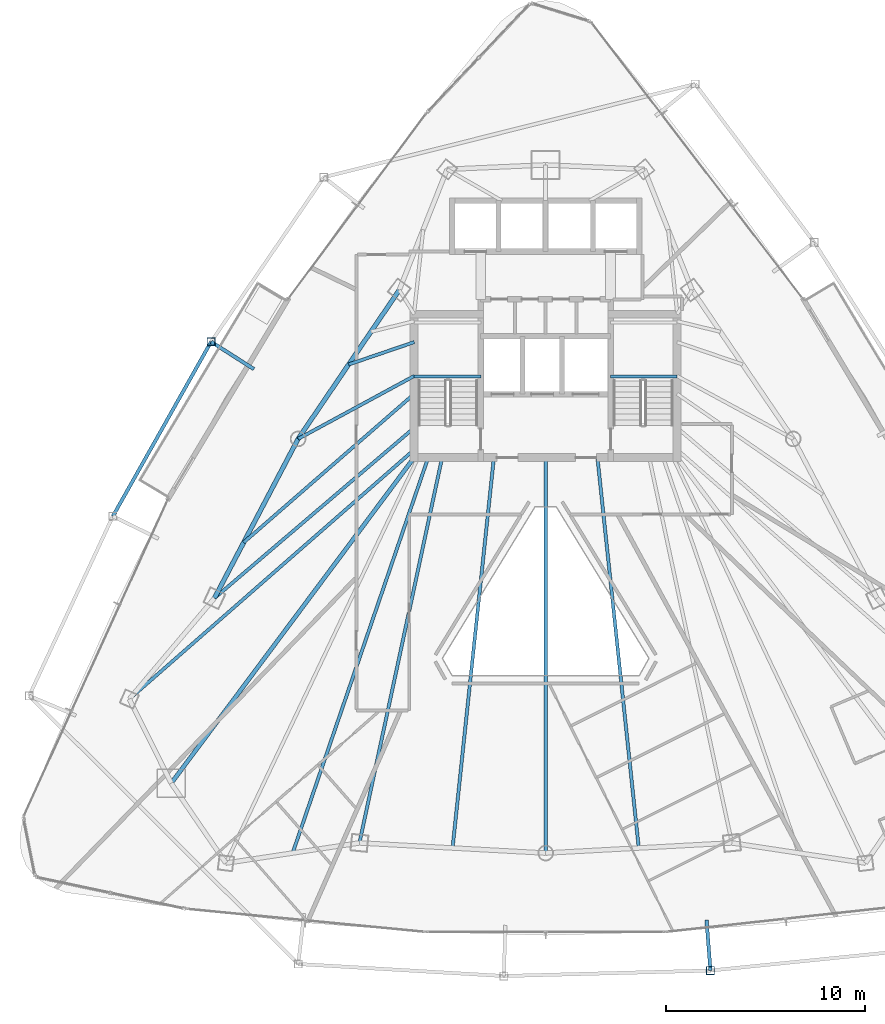
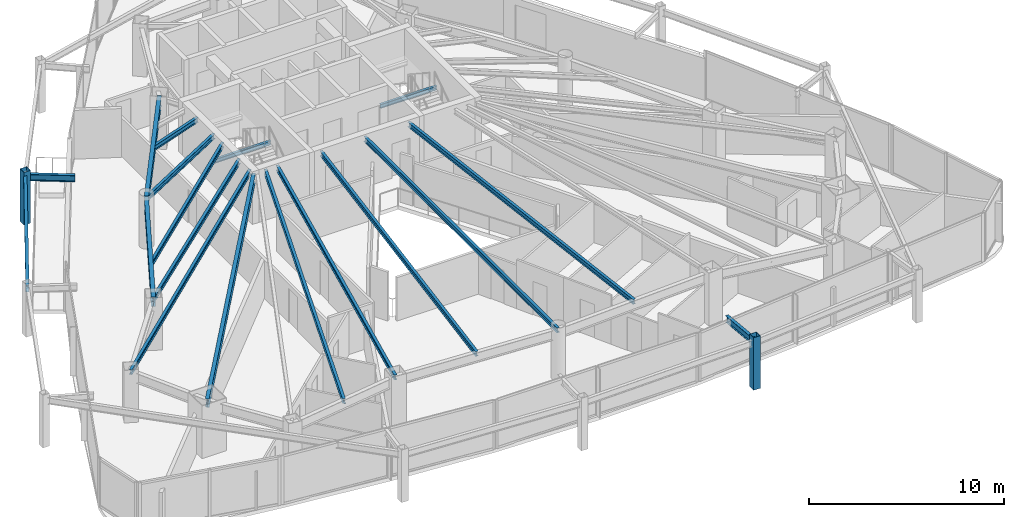
# One storey, part 10 of 31: 18 beams, 2 members.
"""IFC4 building model written with IfcOpenShell, lengths in metres."""

import ifcopenshell
import ifcopenshell.guid

model = None  # the IFC model being written
_history = None  # IfcOwnerHistory: only IFC2X3 demands one
_inside = {}  # id of a spatial element -> (the spatial element, [elements in it])
_under = {}  # id of a project, library or spatial element -> (it, [spatial elements below it])
_declared = {}  # id of a project -> (the project, [libraries it declares])
_typed = {}  # id of a type object -> (the type object, [elements of that type])
_made_of = {}  # id of a material, layer set ... -> (it, [elements and type objects made of it])


def new_model(schema):
    """Start an empty IFC model of exactly this schema.

    Asked for "IFC4X3", IfcOpenShell would pick the latest addendum, in which some entities
    have other attributes; the version numbers below select the first issue.
    IFC2X3 requires an IfcOwnerHistory on every rooted entity: one is made here for all.
    """
    global model, _history
    if schema == "IFC4X3":
        model = ifcopenshell.file(schema_version=(4, 3, 0, 0))
    else:
        model = ifcopenshell.file(schema=schema)
    _inside.clear()
    _under.clear()
    _declared.clear()
    _typed.clear()
    _made_of.clear()
    _history = None
    if model.schema == "IFC2X3":
        org = make("IfcOrganization", Name="unknown")
        user = make(
            "IfcPersonAndOrganization",
            ThePerson=make("IfcPerson", FamilyName="unknown"),
            TheOrganization=org,
        )
        app = make(
            "IfcApplication",
            ApplicationDeveloper=org,
            Version="unknown",
            ApplicationFullName="unknown",
            ApplicationIdentifier="unknown",
        )
        _history = make(
            "IfcOwnerHistory",
            OwningUser=user,
            OwningApplication=app,
            ChangeAction="ADDED",
            CreationDate=0,
        )
    return model


def make(cls, **values):
    """One entity of the class cls with the attributes given. An attribute that is None is left unset."""
    return model.create_entity(
        cls, **{name: value for name, value in values.items() if value is not None}
    )


def rooted(cls, **values):
    """An entity with a GlobalId (a new one), such as an element, a storey or a relation."""
    return make(cls, GlobalId=ifcopenshell.guid.new(), OwnerHistory=_history, **values)


def si_unit(unit_type, name, prefix=None):
    """IfcSIUnit, for example si_unit("LENGTHUNIT", "METRE", prefix="MILLI")."""
    return make("IfcSIUnit", UnitType=unit_type, Prefix=prefix, Name=name)


def assignment(units):
    """IfcUnitAssignment: the units of a project."""
    return None if units is None else make("IfcUnitAssignment", Units=units)


def point(xyz):
    """IfcCartesianPoint."""
    return None if xyz is None else make("IfcCartesianPoint", Coordinates=xyz)


def direction(xyz):
    """IfcDirection."""
    return None if xyz is None else make("IfcDirection", DirectionRatios=xyz)


def frame(location, z_axis=None, x_axis=None):
    """IfcAxis2Placement3D, a coordinate frame: its origin and axes. An axis left out is left unset."""
    return make(
        "IfcAxis2Placement3D",
        Location=point(location),
        Axis=direction(z_axis),
        RefDirection=direction(x_axis),
    )


def frame_2d(location, x_axis=None):
    """IfcAxis2Placement2D, a coordinate frame in the plane: its origin and x axis."""
    return make(
        "IfcAxis2Placement2D", Location=point(location), RefDirection=direction(x_axis)
    )


def origin():
    """The frame at (0, 0, 0) with its axes left unset."""
    return frame((0.0, 0.0, 0.0))


def origin_2d():
    """The frame at (0, 0) in the plane with its x axis left unset."""
    return frame_2d((0.0, 0.0))


def place(relative_to, where):
    """IfcLocalPlacement: puts the frame where relative to a parent placement (None: the world)."""
    return make(
        "IfcLocalPlacement", PlacementRelTo=relative_to, RelativePlacement=where
    )


def context(
    kind, dimensions, precision=None, world=None, true_north=None, identifier=None
):
    """IfcGeometricRepresentationContext, for example the 3D "Model" context."""
    return make(
        "IfcGeometricRepresentationContext",
        ContextIdentifier=identifier,
        ContextType=kind,
        CoordinateSpaceDimension=dimensions,
        Precision=precision,
        WorldCoordinateSystem=world,
        TrueNorth=true_north,
    )


def subcontext(parent, identifier, kind, view, scale=None):
    """IfcGeometricRepresentationSubContext, for example "Body" below "Model"."""
    return make(
        "IfcGeometricRepresentationSubContext",
        ContextIdentifier=identifier,
        ContextType=kind,
        ParentContext=parent,
        TargetScale=scale,
        TargetView=view,
    )


def project(units=None, contexts=None):
    """IfcProject with its units and contexts."""
    return rooted(
        "IfcProject",
        Name="project",
        RepresentationContexts=contexts,
        UnitsInContext=assignment(units),
    )


def spatial(cls, under=None, at=None, **own):
    """A site, building, storey or space (cls), placed at a placement, below another one or the project."""
    s = rooted(cls, ObjectPlacement=at, **own)
    if under is not None:
        _under.setdefault(under.id(), (under, []))[1].append(s)
    return s


def profile(cls, at=None, kind="AREA", **sizes):
    """A parametric profile (cls). Its sizes go by their IFC names, for example OverallWidth=200.0."""
    return make(cls, ProfileType=kind, Position=at, **sizes)


def hollow_rectangle(**sizes):
    """IfcRectangleHollowProfileDef."""
    return profile("IfcRectangleHollowProfileDef", **sizes)


def i_section(**sizes):
    """IfcIShapeProfileDef."""
    return profile("IfcIShapeProfileDef", **sizes)


def extrude(swept, where, along, depth):
    """IfcExtrudedAreaSolid: the profile swept, set in the frame where, extruded along a direction by depth."""
    return make(
        "IfcExtrudedAreaSolid",
        SweptArea=swept,
        Position=where,
        ExtrudedDirection=direction(along),
        Depth=depth,
    )


def shape(context_of_items, identifier, shape_type, items):
    """IfcShapeRepresentation: the items that make up one representation, for example the "Body"."""
    return make(
        "IfcShapeRepresentation",
        ContextOfItems=context_of_items,
        RepresentationIdentifier=identifier,
        RepresentationType=shape_type,
        Items=items,
    )


def material(Name=None, Category=None):
    """IfcMaterial."""
    return make("IfcMaterial", Name=Name, Category=Category)


def material_profile(
    of_material, cross_section, Name=None, Category=None, Priority=None
):
    """IfcMaterialProfile: a cross section and its material."""
    return make(
        "IfcMaterialProfile",
        Name=Name,
        Material=of_material,
        Profile=cross_section,
        Priority=Priority,
        Category=Category,
    )


def profile_set(profiles, Name=None, composite=None):
    """IfcMaterialProfileSet."""
    return make(
        "IfcMaterialProfileSet",
        Name=Name,
        MaterialProfiles=profiles,
        CompositeProfile=composite,
    )


def made_of(thing, what):
    """Note that an element or type object is made of a material, layer set ...; save() writes the relation."""
    if what is not None:
        _made_of.setdefault(what.id(), (what, []))[1].append(thing)
    return thing


def type_object(cls, material=None, **own):
    """A type object (cls), such as IfcWallType, which elements share."""
    return made_of(rooted(cls, **own), material)


def element(
    cls,
    number,
    at=None,
    inside=None,
    cuts=None,
    type_object=None,
    material=None,
    context=None,
    identifier="Body",
    shape_type=None,
    held_by="IfcProductDefinitionShape",
    body=None,
    shapes=None,
    **own,
):
    """One element of the class cls, such as IfcWall. Its Tag is "e" and its number.

    at: its placement. inside: the storey or other place that contains it. cuts: it is an
    opening in that element (IfcRelVoidsElement). A single representation is given by context,
    identifier, shape_type and body (its items); several are given by shapes. held_by: the class
    of the entity that holds the representations. save() writes the other relations.
    """
    e = rooted(cls, Tag="e%d" % number, ObjectPlacement=at, **own)
    if body is not None:
        shapes = [shape(context, identifier, shape_type, body)]
    if shapes is not None:
        e.Representation = make(held_by, Representations=shapes)
    if inside is not None:
        _inside.setdefault(inside.id(), (inside, []))[1].append(e)
    if cuts is not None:
        rooted(
            "IfcRelVoidsElement", RelatingBuildingElement=cuts, RelatedOpeningElement=e
        )
    if type_object is not None:
        _typed.setdefault(type_object.id(), (type_object, []))[1].append(e)
    return made_of(e, material)


def aggregate(whole, parts):
    """IfcRelAggregates: a whole, such as a stair, and the parts it consists of."""
    return rooted("IfcRelAggregates", RelatingObject=whole, RelatedObjects=parts)


def save(model, path):
    """Write the relations noted so far, then the file.

    IfcRelAggregates (storeys below a building ...), IfcRelContainedInSpatialStructure (elements
    in a storey), IfcRelDefinesByType, IfcRelAssociatesMaterial and IfcRelDeclares: one each for
    every whole, place, type object, material and project.
    """
    for whole, parts in _under.values():
        aggregate(whole, parts)
    for where, things in _inside.values():
        rooted(
            "IfcRelContainedInSpatialStructure",
            RelatedElements=things,
            RelatingStructure=where,
        )
    for kind, things in _typed.values():
        rooted("IfcRelDefinesByType", RelatedObjects=things, RelatingType=kind)
    for what, things in _made_of.values():
        rooted("IfcRelAssociatesMaterial", RelatedObjects=things, RelatingMaterial=what)
    for by, libraries in _declared.values():
        rooted("IfcRelDeclares", RelatingContext=by, RelatedDefinitions=libraries)
    model.write(path)


model = new_model("IFC4")

# Units and contexts
model_context = context("Model", 3, precision=1e-05, world=origin(), true_north=direction((0.0, 1.0)))
body_context = subcontext(model_context, "Body", "Model", "MODEL_VIEW")
ifc_project = project(units=[si_unit("LENGTHUNIT", "METRE"), si_unit("AREAUNIT", "SQUARE_METRE"), si_unit("VOLUMEUNIT", "CUBIC_METRE"), si_unit("PLANEANGLEUNIT", "RADIAN"), si_unit("MASSUNIT", "GRAM", prefix="KILO")], contexts=[model_context])

# Site, building, storey
site_placement = place(None, origin())
site = spatial("IfcSite", under=ifc_project, at=site_placement, CompositionType="ELEMENT")
building_placement = place(site_placement, origin())
building = spatial("IfcBuilding", under=site, at=building_placement, Name="Orvanel Arch Residences", CompositionType="ELEMENT")
storey_placement = place(building_placement, frame((0.0, 0.0, 106.699951171875)))
storey = spatial("IfcBuildingStorey", under=building, at=storey_placement, Name="L29", CompositionType="ELEMENT", Elevation=106.699951171875)

# Beams
ifc_material_1 = material(Name="Structural steel AS/NZS 3679.1 Grade 300 (300 MPa)", Category="steel")
ifc_material_profile_1 = material_profile(ifc_material_1, i_section(OverallWidth=0.208984375, OverallDepth=0.532958984375, WebThickness=0.01025390625, FlangeThickness=0.015625, at=origin_2d()), Name="530UB92.4")
ifc_profile_set_1 = profile_set([ifc_material_profile_1], Name="Structural steel AS/NZS 3679.1 Grade 300 (300 MPa)")
beam_type_1 = type_object("IfcBeamType", Name="BG-530UB", PredefinedType="BEAM", material=ifc_profile_set_1)
beam_1_placement = place(storey_placement, frame((26.375, 26.675048828125, 2.7939453125), z_axis=(-0.597893733742, -0.801575375839, 0.0), x_axis=(0.801575375839, -0.597893733742, 0.0)))
element("IfcBeam", 1, at=beam_1_placement, inside=storey, type_object=beam_type_1, Name="L29 South-West Radial Girder", PredefinedType="BEAM", context=body_context, shape_type="SweptSolid", body=[
    extrude(i_section(OverallWidth=0.208984375, OverallDepth=0.532958984375, WebThickness=0.01025390625, FlangeThickness=0.015625, at=origin_2d()), origin(), (0.0, 0.0, 1.0), 20.36474609375),
])
ifc_material_profile_2 = material_profile(ifc_material_1, i_section(OverallWidth=0.14599609375, OverallDepth=0.251953125, WebThickness=0.006103515625, FlangeThickness=0.008544921875, at=origin_2d()), Name="250UB31.4")
ifc_profile_set_2 = profile_set([ifc_material_profile_2], Name="Structural steel AS/NZS 3679.1 Grade 300 (300 MPa)")
beam_type_2 = type_object("IfcBeamType", Name="BJ-250UB", PredefinedType="JOIST", material=ifc_profile_set_2)
for number, where, z_axis, x_axis, name in (
    (2, (26.39990234375, 30.780029296875, 1.323974609375), (1.0, 0.0, 0.0), (0.0, 1.0, 0.0), "L29 ST-1 Half-Landing Support Beam 1.1"),
    (3, (36.25, 30.780029296875, 1.323974609375), (1.0, 0.0, 0.0), (0.0, 1.0, 0.0), "L29 ST-2 Half-Landing Support Beam 1.1"),
):
    element("IfcBeam", number, at=place(storey_placement, frame(where, z_axis=z_axis, x_axis=x_axis)), inside=storey, type_object=beam_type_2, Name=name, PredefinedType="JOIST", context=body_context, shape_type="SweptSolid", body=[
        extrude(i_section(OverallWidth=0.14599609375, OverallDepth=0.251953125, WebThickness=0.006103515625, FlangeThickness=0.008544921875, at=origin_2d()), origin(), (0.0, 0.0, 1.0), 3.35009765625),
    ])
ifc_material_profile_3 = material_profile(ifc_material_1, i_section(OverallWidth=0.1650390625, OverallDepth=0.303955078125, WebThickness=0.006103515625, FlangeThickness=0.01025390625, at=origin_2d()), Name="310UB40.4")
ifc_profile_set_3 = profile_set([ifc_material_profile_3], Name="Structural steel AS/NZS 3679.1 Grade 300 (300 MPa)")
beam_type_3 = type_object("IfcBeamType", Name="BJ-310UB", PredefinedType="JOIST", material=ifc_profile_set_3)
beam_2_placement = place(storey_placement, frame((26.39990234375, 30.800048828125, 2.907958984375), z_axis=(-0.87925534649, -0.476350748576, 0.0), x_axis=(0.476350748576, -0.87925534649, 0.0)))
element("IfcBeam", 4, at=beam_2_placement, inside=storey, type_object=beam_type_3, Name="L29 NW Wing Floor Joist", PredefinedType="JOIST", context=body_context, shape_type="SweptSolid", body=[
    extrude(i_section(OverallWidth=0.1650390625, OverallDepth=0.303955078125, WebThickness=0.006103515625, FlangeThickness=0.01025390625, at=origin_2d()), origin(), (0.0, 0.0, 1.0), 6.631591796875),
])
beam_3_placement = place(storey_placement, frame((26.39990234375, 28.199951171875, 2.907958984375), z_axis=(-0.760821315761, -0.648961420644, 0.0), x_axis=(0.648961420644, -0.760821315761, 0.0)))
element("IfcBeam", 5, at=beam_3_placement, inside=storey, type_object=beam_type_3, Name="L29 W Wing Floor Joist", PredefinedType="JOIST", context=body_context, shape_type="SweptSolid", body=[
    extrude(i_section(OverallWidth=0.1650390625, OverallDepth=0.303955078125, WebThickness=0.006103515625, FlangeThickness=0.01025390625, at=origin_2d()), origin(), (0.0, 0.0, 1.0), 13.18701171875),
])
beam_4_placement = place(storey_placement, frame((27.800048828125, 26.699951171875, 2.907958984375), z_axis=(-0.209808012425, -0.977742603103, 0.0), x_axis=(0.977742603103, -0.209808012425, 0.0)))
element("IfcBeam", 6, at=beam_4_placement, inside=storey, type_object=beam_type_3, Name="L29 SW Wing Floor Joist", PredefinedType="JOIST", context=body_context, shape_type="SweptSolid", body=[
    extrude(i_section(OverallWidth=0.1650390625, OverallDepth=0.303955078125, WebThickness=0.006103515625, FlangeThickness=0.01025390625, at=origin_2d()), origin(), (0.0, 0.0, 1.0), 19.785400390625),
])
beam_5_placement = place(storey_placement, frame((33.0, 26.699951171875, 2.907958984375), z_axis=(0.0, -1.0, 0.0), x_axis=(1.0, 0.0, 0.0)))
element("IfcBeam", 7, at=beam_5_placement, inside=storey, type_object=beam_type_3, Name="L29 SSW Wing Floor Joist", PredefinedType="JOIST", context=body_context, shape_type="SweptSolid", body=[
    extrude(i_section(OverallWidth=0.1650390625, OverallDepth=0.303955078125, WebThickness=0.006103515625, FlangeThickness=0.01025390625, at=origin_2d()), origin(), (0.0, 0.0, 1.0), 19.85595703125),
])
beam_6_placement = place(storey_placement, frame((26.39990234375, 32.5, 2.907958984375), z_axis=(-0.946441958332, -0.322873999431, 0.0), x_axis=(0.322873999431, -0.946441958332, 0.0)))
element("IfcBeam", 8, at=beam_6_placement, inside=storey, type_object=beam_type_3, Name="L29 WNW Wing Floor Joist", PredefinedType="JOIST", context=body_context, shape_type="SweptSolid", body=[
    extrude(i_section(OverallWidth=0.1650390625, OverallDepth=0.303955078125, WebThickness=0.006103515625, FlangeThickness=0.01025390625, at=origin_2d()), origin(), (0.0, 0.0, 1.0), 3.478271484375),
])
for number, where, z_axis, x_axis, name in (
    (9, (30.39990234375, 26.699951171875, 2.907958984375), (-0.105277340935, -0.994442900063, 0.0), (0.994442900063, -0.105277340935, 0.0), "L29 WSW2 Wing Floor Joist"),
    (10, (35.60009765625, 26.699951171875, 2.907958984375), (0.105277340935, -0.994442900063, 0.0), (0.994442900063, 0.105277340935, 0.0), "L29 ESE2 Wing Floor Joist"),
):
    element("IfcBeam", number, at=place(storey_placement, frame(where, z_axis=z_axis, x_axis=x_axis)), inside=storey, type_object=beam_type_3, Name=name, PredefinedType="JOIST", context=body_context, shape_type="SweptSolid", body=[
        extrude(i_section(OverallWidth=0.1650390625, OverallDepth=0.303955078125, WebThickness=0.006103515625, FlangeThickness=0.01025390625, at=origin_2d()), origin(), (0.0, 0.0, 1.0), 19.70947265625),
    ])
beam_7_placement = place(storey_placement, frame((26.39990234375, 27.10009765625, 2.907958984375), z_axis=(-0.752493154183, -0.658600070534, 0.0), x_axis=(0.658600070534, -0.752493154183, 0.0)))
element("IfcBeam", 11, at=beam_7_placement, inside=storey, type_object=beam_type_3, Name="L29 MW Wing Floor Joist", PredefinedType="JOIST", context=body_context, shape_type="SweptSolid", body=[
    extrude(i_section(OverallWidth=0.1650390625, OverallDepth=0.303955078125, WebThickness=0.006103515625, FlangeThickness=0.01025390625, at=origin_2d()), origin(), (0.0, 0.0, 1.0), 19.010009765625),
])
beam_8_placement = place(storey_placement, frame((26.39990234375, 29.89990234375, 2.907958984375), z_axis=(-0.754047930849, -0.656819395254, 0.0), x_axis=(0.656819395254, -0.754047930849, 0.0)))
element("IfcBeam", 12, at=beam_8_placement, inside=storey, type_object=beam_type_3, Name="L29 CTW Wing Floor Joist", PredefinedType="JOIST", context=body_context, shape_type="SweptSolid", body=[
    extrude(i_section(OverallWidth=0.1650390625, OverallDepth=0.303955078125, WebThickness=0.006103515625, FlangeThickness=0.01025390625, at=origin_2d()), origin(), (0.0, 0.0, 1.0), 11.354736328125),
])
beam_9_placement = place(storey_placement, frame((27.10009765625, 26.699951171875, 2.907958984375), z_axis=(-0.324257108963, -0.945968988544, 0.0), x_axis=(0.945968988544, -0.324257108963, 0.0)))
element("IfcBeam", 13, at=beam_9_placement, inside=storey, type_object=beam_type_3, Name="L29 JADD1 Wing Floor Joist", PredefinedType="JOIST", context=body_context, shape_type="SweptSolid", body=[
    extrude(i_section(OverallWidth=0.1650390625, OverallDepth=0.303955078125, WebThickness=0.006103515625, FlangeThickness=0.01025390625, at=origin_2d()), origin(), (0.0, 0.0, 1.0), 20.987060546875),
])
ifc_material_profile_4 = material_profile(ifc_material_1, i_section(OverallWidth=0.177978515625, OverallDepth=0.406005859375, WebThickness=0.0078125, FlangeThickness=0.0126953125, at=origin_2d()), Name="410UB59.7")
ifc_profile_set_4 = profile_set([ifc_material_profile_4], Name="Structural steel AS/NZS 3679.1 Grade 300 (300 MPa)")
beam_type_4 = type_object("IfcBeamType", Name="OB-410UB-EXT", PredefinedType="SPANDREL", material=ifc_profile_set_4)
beam_10_placement = place(storey_placement, frame((18.35009765625, 31.14404296875, 2.85693359375), z_axis=(-0.842702291997, 0.538379835305, 0.0), x_axis=(-0.538379835305, -0.842702291997, 0.0)))
element("IfcBeam", 14, at=beam_10_placement, inside=storey, type_object=beam_type_4, Name="L29 Outer Frame Radial Tie Beam 02", PredefinedType="SPANDREL", context=body_context, shape_type="SweptSolid", body=[
    extrude(i_section(OverallWidth=0.177978515625, OverallDepth=0.406005859375, WebThickness=0.0078125, FlangeThickness=0.0126953125, at=origin_2d()), origin(), (0.0, 0.0, 1.0), 2.55029296875),
])
beam_11_placement = place(storey_placement, frame((16.200927734375, 32.51708984375, 2.85693359375), z_axis=(-0.49068450457, -0.871337315266, 0.0), x_axis=(0.871337315266, -0.49068450457, 0.0)))
element("IfcBeam", 15, at=beam_11_placement, inside=storey, type_object=beam_type_4, Name="L29 Outer Perimeter Floor Ring Beam 02", PredefinedType="SPANDREL", context=body_context, shape_type="SweptSolid", body=[
    extrude(i_section(OverallWidth=0.177978515625, OverallDepth=0.406005859375, WebThickness=0.0078125, FlangeThickness=0.0126953125, at=origin_2d()), origin(), (0.0, 0.0, 1.0), 10.049072265625),
])
beam_12_placement = place(storey_placement, frame((41.076904296875, 3.489013671875, 2.85693359375), z_axis=(0.077245465529, -0.99701210527, 0.0), x_axis=(0.99701210527, 0.077245465529, 0.0)))
element("IfcBeam", 16, at=beam_12_placement, inside=storey, type_object=beam_type_4, Name="L29 Outer Frame Radial Tie Beam 07", PredefinedType="SPANDREL", context=body_context, shape_type="SweptSolid", body=[
    extrude(i_section(OverallWidth=0.177978515625, OverallDepth=0.406005859375, WebThickness=0.0078125, FlangeThickness=0.0126953125, at=origin_2d()), origin(), (0.0, 0.0, 1.0), 2.550537109375),
])
ifc_material_profile_5 = material_profile(ifc_material_1, i_section(OverallWidth=0.22900390625, OverallDepth=0.612060546875, WebThickness=0.011962890625, FlangeThickness=0.01953125, at=origin_2d()), Name="610UB125")
ifc_profile_set_5 = profile_set([ifc_material_profile_5], Name="Structural steel AS/NZS 3679.1 Grade 300 (300 MPa)")
beam_type_5 = type_object("IfcBeamType", Name="SP-610UB", PredefinedType="SPANDREL", material=ifc_profile_set_5)
beam_13_placement = place(storey_placement, frame((25.64794921875, 35.113037109375, 2.754150390625), z_axis=(-0.562154793153, -0.827032035978, 0.0), x_axis=(0.827032035978, -0.562154793153, 0.0)))
element("IfcBeam", 17, at=beam_13_placement, inside=storey, type_object=beam_type_5, Name="L29 Perimeter Spandrel Beam 17", PredefinedType="SPANDREL", context=body_context, shape_type="SweptSolid", body=[
    extrude(i_section(OverallWidth=0.22900390625, OverallDepth=0.612060546875, WebThickness=0.011962890625, FlangeThickness=0.01953125, at=origin_2d()), origin(), (0.0, 0.0, 1.0), 9.03466796875),
])
beam_14_placement = place(storey_placement, frame((20.569091796875, 27.64111328125, 2.754150390625), z_axis=(-0.465064762793, -0.885276660942, 0.0), x_axis=(0.885276660942, -0.465064762793, 0.0)))
element("IfcBeam", 18, at=beam_14_placement, inside=storey, type_object=beam_type_5, Name="L29 Perimeter Spandrel Beam 18", PredefinedType="SPANDREL", context=body_context, shape_type="SweptSolid", body=[
    extrude(i_section(OverallWidth=0.22900390625, OverallDepth=0.612060546875, WebThickness=0.011962890625, FlangeThickness=0.01953125, at=origin_2d()), origin(), (0.0, 0.0, 1.0), 9.03564453125),
])

# Members
ifc_material_2 = material(Name="Structural steel AS/NZS 1163 C450L0 (Grade 450)", Category="steel")
ifc_material_profile_6 = material_profile(ifc_material_2, hollow_rectangle(XDim=0.39990234375, YDim=0.39990234375, WallThickness=0.01611328125, at=origin_2d()), Name="SHS400x400x16")
ifc_profile_set_6 = profile_set([ifc_material_profile_6], Name="Structural steel AS/NZS 1163 C450L0 (Grade 450)")
member_type = type_object("IfcMemberType", Name="ST-400SHS-EXT", PredefinedType="STRUT", material=ifc_profile_set_6)
for number, where, z_axis, x_axis, name in (
    (19, (16.200927734375, 32.51708984375, 0.0), (0.0, 0.0, 1.0), (1.0, 0.0, 0.0), "L29 Outer Perimeter Frame Post 02"),
    (20, (41.27392578125, 0.946044921875, 0.0), (0.0, 0.0, 1.0), (1.0, 0.0, 0.0), "L29 Outer Perimeter Frame Post 07"),
):
    element("IfcMember", number, at=place(storey_placement, frame(where, z_axis=z_axis, x_axis=x_axis)), inside=storey, type_object=member_type, Name=name, PredefinedType="STRUT", context=body_context, shape_type="SweptSolid", body=[
        extrude(hollow_rectangle(XDim=0.39990234375, YDim=0.39990234375, WallThickness=0.01611328125, at=origin_2d()), origin(), (0.0, 0.0, 1.0), 3.300048828125),
    ])

save(model, "model.ifc")
